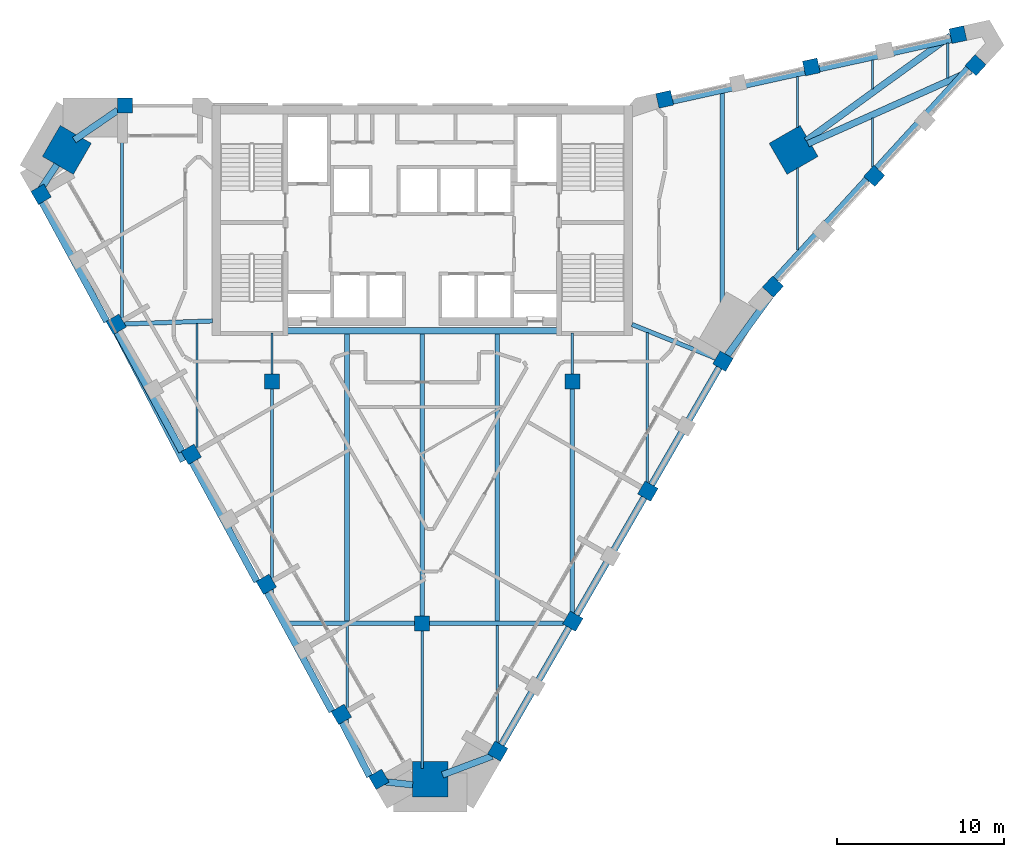
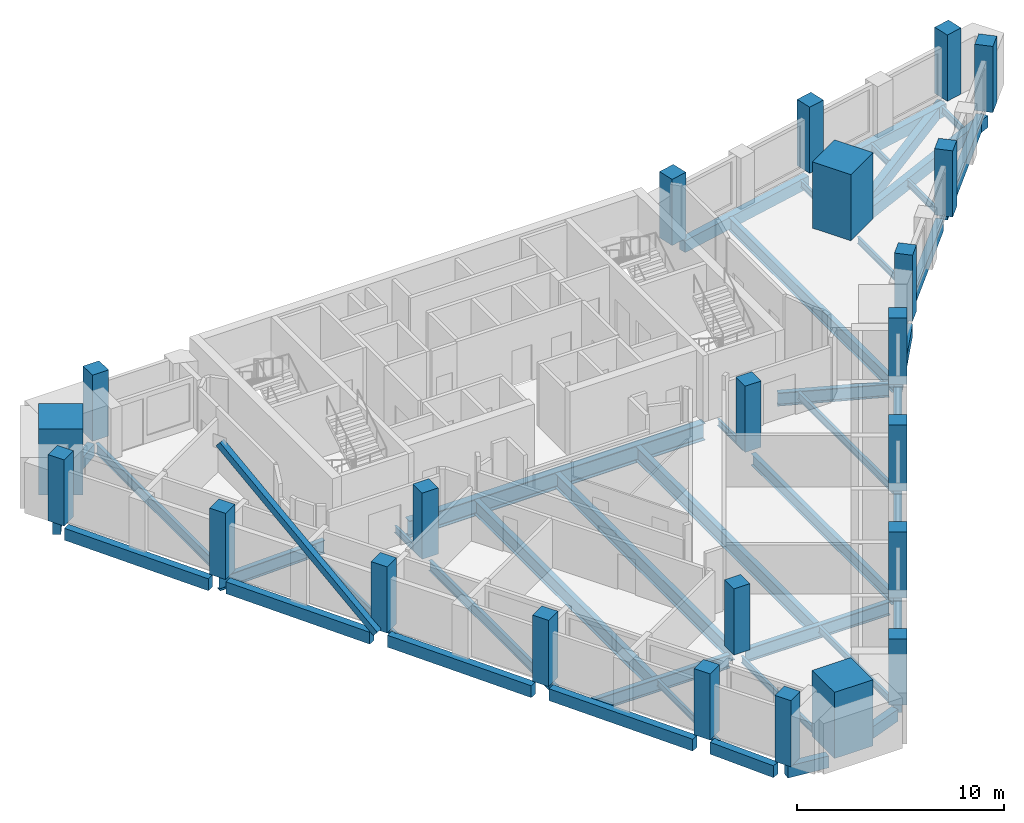
# One storey, part 1 of 8: 43 beams, 23 columns, 1 member.
"""IFC4 building model written with IfcOpenShell, lengths in metres."""

from ifc_helpers import new_model, si_unit, direction, frame, origin, origin_2d, place, context, subcontext, project, spatial, rectangle, hollow_rectangle, i_section, extrude, material, material_profile, profile_set, type_object, element, save


model = new_model("IFC4")

# Units and contexts
model_context = context("Model", 3, precision=1e-05, world=origin(), true_north=direction((0.0, 1.0)))
body_context = subcontext(model_context, "Body", "Model", "MODEL_VIEW")
ifc_project = project(units=[si_unit("LENGTHUNIT", "METRE"), si_unit("AREAUNIT", "SQUARE_METRE"), si_unit("VOLUMEUNIT", "CUBIC_METRE"), si_unit("PLANEANGLEUNIT", "RADIAN"), si_unit("MASSUNIT", "GRAM", prefix="KILO")], contexts=[model_context])

# Site, building, storey
site_placement = place(None, origin())
site = spatial("IfcSite", under=ifc_project, at=site_placement, CompositionType="ELEMENT")
building_placement = place(site_placement, origin())
building = spatial("IfcBuilding", under=site, at=building_placement, Name="Calabash Gate Tower", CompositionType="ELEMENT")
storey_placement = place(building_placement, frame((0.0, 0.0, 271.60009765625)))
storey = spatial("IfcBuildingStorey", under=building, at=storey_placement, Name="L65", CompositionType="ELEMENT", Elevation=271.60009765625)

# Columns
ifc_material_1 = material(Name="Concrete C60/75", Category="concrete")
ifc_material_profile_1 = material_profile(ifc_material_1, rectangle(XDim=0.89990234375, YDim=0.89990234375, at=origin_2d()))
ifc_profile_set_1 = profile_set([ifc_material_profile_1], Name="Concrete C60/75")
column_type_1 = type_object("IfcColumnType", Name="Interior column RC 900x900 Concrete C60/75", PredefinedType="COLUMN", material=ifc_profile_set_1)
for number, where, z_axis, x_axis, name in (
    (1, (-9.0, 2.5, 0.0), (0.0, 0.0, 1.0), (1.0, 0.0, 0.0), "Interior column L65 I0"),
    (2, (9.0, 2.5, 0.0), (0.0, 0.0, 1.0), (1.0, 0.0, 0.0), "Interior column L65 I1"),
    (3, (0.0, -12.0, 0.0), (0.0, 0.0, 1.0), (1.0, 0.0, 0.0), "Interior column L65 I2"),
):
    element("IfcColumn", number, at=place(storey_placement, frame(where, z_axis=z_axis, x_axis=x_axis)), inside=storey, type_object=column_type_1, Name=name, PredefinedType="COLUMN", context=body_context, shape_type="SweptSolid", body=[
        extrude(rectangle(XDim=0.89990234375, YDim=0.89990234375, at=origin_2d()), origin(), (0.0, 0.0, 1.0), 3.89990234375),
    ])
ifc_material_2 = material(Name="Concrete C60/75", Category="concrete")
ifc_material_profile_2 = material_profile(ifc_material_2, rectangle(XDim=2.14990234375, YDim=2.14990234375, at=origin_2d()))
ifc_profile_set_2 = profile_set([ifc_material_profile_2], Name="Concrete C60/75")
column_type_2 = type_object("IfcColumnType", Name="Mega column RC 2150x2150 Concrete C60/75", PredefinedType="COLUMN", material=ifc_profile_set_2)
for number, where, z_axis, x_axis, name in (
    (4, (-21.305908203125, 16.386962890625, 0.0), (0.0, 0.0, 1.0), (0.866025412511, -0.499999984885, 0.0), "Mega column L65 NW"),
    (5, (22.26708984375, 16.386962890625, 0.0), (0.0, 0.0, 1.0), (-0.866025412511, -0.499999984885, 0.0), "Mega column L65 NE"),
    (6, (0.47998046875, -21.345947265625, 0.0), (0.0, 0.0, 1.0), (0.0, 1.0, 0.0), "Mega column L65 S"),
):
    element("IfcColumn", number, at=place(storey_placement, frame(where, z_axis=z_axis, x_axis=x_axis)), inside=storey, type_object=column_type_2, Name=name, PredefinedType="COLUMN", context=body_context, shape_type="SweptSolid", body=[
        extrude(rectangle(XDim=2.14990234375, YDim=2.14990234375, at=origin_2d()), origin(), (0.0, 0.0, 1.0), 3.89990234375),
    ])
ifc_material_3 = material(Name="Concrete C50/60", Category="concrete")
ifc_material_profile_3 = material_profile(ifc_material_3, rectangle(XDim=0.89990234375, YDim=0.89990234375, at=origin_2d()))
ifc_profile_set_3 = profile_set([ifc_material_profile_3], Name="Concrete C50/60")
column_type_3 = type_object("IfcColumnType", Name="Perimeter column RC 900x900 Concrete C50/60", PredefinedType="COLUMN", material=ifc_profile_set_3)
for number, where, z_axis, x_axis, name in (
    (7, (-22.845947265625, 13.72705078125, 0.0), (0.0, 0.0, 1.0), (0.500000015115, -0.866025395058, 0.0), "Perimeter column L65 P20"),
    (8, (-18.345947265625, 5.930908203125, 0.0), (0.0, 0.0, 1.0), (0.500000015115, -0.866025395058, 0.0), "Perimeter column L65 P00"),
    (9, (-13.845947265625, -1.864013671875, 0.0), (0.0, 0.0, 1.0), (0.500000015115, -0.866025395058, 0.0), "Perimeter column L65 P01"),
    (10, (-9.345947265625, -9.657958984375, 0.0), (0.0, 0.0, 1.0), (0.500000015115, -0.866025395058, 0.0), "Perimeter column L65 P02"),
    (11, (-4.845947265625, -17.451904296875, 0.0), (0.0, 0.0, 1.0), (0.500000015115, -0.866025395058, 0.0), "Perimeter column L65 P03"),
    (12, (-2.595947265625, -21.34912109375, 0.0), (0.0, 0.0, 1.0), (0.500000015115, -0.866025395058, 0.0), "Perimeter column L65 P25"),
    (13, (4.530029296875, -19.660888671875, 0.0), (0.0, 0.0, 1.0), (0.499999984885, 0.866025412511, 0.0), "Perimeter column L65 P08"),
    (14, (9.030029296875, -11.866943359375, 0.0), (0.0, 0.0, 1.0), (0.499999984885, 0.866025412511, 0.0), "Perimeter column L65 P09"),
    (15, (13.530029296875, -4.072998046875, 0.0), (0.0, 0.0, 1.0), (0.499999984885, 0.866025412511, 0.0), "Perimeter column L65 P10"),
    (16, (18.030029296875, 3.720947265625, 0.0), (0.0, 0.0, 1.0), (0.499999984885, 0.866025412511, 0.0), "Perimeter column L65 P11"),
    (17, (21.031005859375, 8.18701171875, 0.0), (0.0, 0.0, 1.0), (0.67485604152, 0.737949404244, 0.0), "Perimeter column L65 P12"),
    (18, (27.10400390625, 14.825927734375, 0.0), (0.0, 0.0, 1.0), (0.67485604152, 0.737949404244, 0.0), "Perimeter column L65 P36"),
    (19, (33.177978515625, 21.468017578125, 0.0), (0.0, 0.0, 1.0), (0.67485604152, 0.737949404244, 0.0), "Perimeter column L65 P37"),
    (20, (32.12109375, 23.298095703125, 0.0), (0.0, 0.0, 1.0), (-0.976510951543, -0.215467773731, 0.0), "Perimeter column L65 P38"),
    (21, (23.3330078125, 21.35888671875, 0.0), (0.0, 0.0, 1.0), (-0.976510951543, -0.215467773731, 0.0), "Perimeter column L65 P39"),
    (22, (14.5439453125, 19.4189453125, 0.0), (0.0, 0.0, 1.0), (-0.976510951543, -0.215467773731, 0.0), "Perimeter column L65 P40"),
    (23, (-17.822021484375, 19.052978515625, 0.0), (0.0, 0.0, 1.0), (-1.0, 0.0, 0.0), "Perimeter column L65 P31"),
):
    element("IfcColumn", number, at=place(storey_placement, frame(where, z_axis=z_axis, x_axis=x_axis)), inside=storey, type_object=column_type_3, Name=name, PredefinedType="COLUMN", context=body_context, shape_type="SweptSolid", body=[
        extrude(rectangle(XDim=0.89990234375, YDim=0.89990234375, at=origin_2d()), origin(), (0.0, 0.0, 1.0), 3.89990234375),
    ])

# Beams
ifc_material_4 = material(Name="Concrete C50/60", Category="concrete")
ifc_material_profile_4 = material_profile(ifc_material_4, rectangle(XDim=0.39990234375, YDim=0.699951171875, at=origin_2d()))
ifc_profile_set_4 = profile_set([ifc_material_profile_4], Name="Concrete C50/60")
beam_type_1 = type_object("IfcBeamType", Name="Edge beam RC 400x700 Concrete C50/60", PredefinedType="BEAM", material=ifc_profile_set_4)
for number, where, z_axis, x_axis, name in (
    (24, (-13.7958984375, -2.3291015625, -0.52001953125), (0.477013821139, -0.878895792709, 0.0), (0.878895792709, 0.477013821139, 0.0), "Edge beam L65 1"),
    (25, (-9.2958984375, -10.123046875, -0.52001953125), (0.477013821139, -0.878895792709, 0.0), (0.878895792709, 0.477013821139, 0.0), "Edge beam L65 2"),
):
    element("IfcBeam", number, at=place(storey_placement, frame(where, z_axis=z_axis, x_axis=x_axis)), inside=storey, type_object=beam_type_1, Name=name, PredefinedType="BEAM", context=body_context, shape_type="SweptSolid", body=[
        extrude(rectangle(XDim=0.39990234375, YDim=0.699951171875, at=origin_2d()), origin(), (0.0, 0.0, 1.0), 8.146484375),
    ])
beam_1_placement = place(storey_placement, frame((-4.805908203125, -17.923095703125, -0.52001953125), z_axis=(0.454000979185, -0.891001184566, 0.0), x_axis=(0.891001184566, 0.454000979185, 0.0)))
element("IfcBeam", 26, at=beam_1_placement, inside=storey, type_object=beam_type_1, Name="Edge beam L65 3", PredefinedType="BEAM", context=body_context, shape_type="SweptSolid", body=[
    extrude(rectangle(XDim=0.39990234375, YDim=0.699951171875, at=origin_2d()), origin(), (0.0, 0.0, 1.0), 3.6474609375),
])
beam_2_placement = place(storey_placement, frame((-2.721923828125, -21.44091796875, -0.52001953125), z_axis=(0.99392085928, -0.110096891365, 0.0), x_axis=(0.110096891365, 0.99392085928, 0.0)))
element("IfcBeam", 27, at=beam_2_placement, inside=storey, type_object=beam_type_1, Name="Edge beam L65 4", PredefinedType="BEAM", context=body_context, shape_type="SweptSolid", body=[
    extrude(rectangle(XDim=0.39990234375, YDim=0.699951171875, at=origin_2d()), origin(), (0.0, 0.0, 1.0), 2.162109375),
])
beam_3_placement = place(storey_placement, frame((1.216064453125, -21.083984375, -0.52001953125), z_axis=(0.935553857978, 0.353184057997, 0.0), x_axis=(-0.353184057997, 0.935553857978, 0.0)))
element("IfcBeam", 28, at=beam_3_placement, inside=storey, type_object=beam_type_1, Name="Edge beam L65 5", PredefinedType="BEAM", context=body_context, shape_type="SweptSolid", body=[
    extrude(rectangle(XDim=0.39990234375, YDim=0.699951171875, at=origin_2d()), origin(), (0.0, 0.0, 1.0), 3.1796875),
])
beam_4_placement = place(storey_placement, frame((4.60888671875, -19.52294921875, -0.52001953125), z_axis=(0.499919966627, 0.866071606143, 0.0), x_axis=(-0.866071606143, 0.499919966627, 0.0)))
element("IfcBeam", 29, at=beam_4_placement, inside=storey, type_object=beam_type_1, Name="Edge beam L65 6", PredefinedType="BEAM", context=body_context, shape_type="SweptSolid", body=[
    extrude(rectangle(XDim=0.39990234375, YDim=0.699951171875, at=origin_2d()), origin(), (0.0, 0.0, 1.0), 8.41748046875),
])
for number, where, z_axis, x_axis, name in (
    (30, (9.10888671875, -11.72998046875, -0.52001953125), (0.49997020258, 0.86604260665, 0.0), (-0.86604260665, 0.49997020258, 0.0), "Edge beam L65 7"),
    (31, (13.60888671875, -3.93603515625, -0.52001953125), (0.49997020258, 0.86604260665, 0.0), (-0.86604260665, 0.49997020258, 0.0), "Edge beam L65 8"),
):
    element("IfcBeam", number, at=place(storey_placement, frame(where, z_axis=z_axis, x_axis=x_axis)), inside=storey, type_object=beam_type_1, Name=name, PredefinedType="BEAM", context=body_context, shape_type="SweptSolid", body=[
        extrude(rectangle(XDim=0.39990234375, YDim=0.699951171875, at=origin_2d()), origin(), (0.0, 0.0, 1.0), 8.41650390625),
    ])
beam_5_placement = place(storey_placement, frame((18.1259765625, 3.85009765625, -0.52001953125), z_axis=(0.587961717707, 0.808888755337, 0.0), x_axis=(-0.808888755337, 0.587961717707, 0.0)))
element("IfcBeam", 32, at=beam_5_placement, inside=storey, type_object=beam_type_1, Name="Edge beam L65 9", PredefinedType="BEAM", context=body_context, shape_type="SweptSolid", body=[
    extrude(rectangle(XDim=0.39990234375, YDim=0.699951171875, at=origin_2d()), origin(), (0.0, 0.0, 1.0), 4.7705078125),
])
beam_6_placement = place(storey_placement, frame((21.18701171875, 8.652099609375, -0.52001953125), z_axis=(0.674873802315, 0.737933161573, 0.0), x_axis=(-0.737933161573, 0.674873802315, 0.0)))
element("IfcBeam", 33, at=beam_6_placement, inside=storey, type_object=beam_type_1, Name="Edge beam L65 10", PredefinedType="BEAM", context=body_context, shape_type="SweptSolid", body=[
    extrude(rectangle(XDim=0.39990234375, YDim=0.699951171875, at=origin_2d()), origin(), (0.0, 0.0, 1.0), 8.099365234375),
])
beam_7_placement = place(storey_placement, frame((27.260009765625, 15.29296875, -0.52001953125), z_axis=(0.67486440312, 0.737941757459, 0.0), x_axis=(-0.737941757459, 0.67486440312, 0.0)))
element("IfcBeam", 34, at=beam_7_placement, inside=storey, type_object=beam_type_1, Name="Edge beam L65 11", PredefinedType="BEAM", context=body_context, shape_type="SweptSolid", body=[
    extrude(rectangle(XDim=0.39990234375, YDim=0.699951171875, at=origin_2d()), origin(), (0.0, 0.0, 1.0), 8.100830078125),
])
beam_8_placement = place(storey_placement, frame((32.902099609375, 21.126953125, -0.52001953125), z_axis=(-0.912877028573, -0.408234651522, 0.0), x_axis=(0.408234651522, -0.912877028573, 0.0)))
element("IfcBeam", 35, at=beam_8_placement, inside=storey, type_object=beam_type_1, Name="Edge beam L65 12", PredefinedType="BEAM", context=body_context, shape_type="SweptSolid", body=[
    extrude(rectangle(XDim=0.39990234375, YDim=0.699951171875, at=origin_2d()), origin(), (0.0, 0.0, 1.0), 10.714599609375),
])
beam_9_placement = place(storey_placement, frame((23.01611328125, 16.93408203125, -0.52001953125), z_axis=(0.809189056885, 0.587548355641, 0.0), x_axis=(-0.587548355641, 0.809189056885, 0.0)))
element("IfcBeam", 36, at=beam_9_placement, inside=storey, type_object=beam_type_1, Name="Edge beam L65 13", PredefinedType="BEAM", context=body_context, shape_type="SweptSolid", body=[
    extrude(rectangle(XDim=0.39990234375, YDim=0.699951171875, at=origin_2d()), origin(), (0.0, 0.0, 1.0), 10.715576171875),
])
beam_10_placement = place(storey_placement, frame((31.72705078125, 23.006103515625, -0.52001953125), z_axis=(-0.976492437334, -0.215551663945, 0.0), x_axis=(0.215551663945, -0.976492437334, 0.0)))
element("IfcBeam", 37, at=beam_10_placement, inside=storey, type_object=beam_type_1, Name="Edge beam L65 14", PredefinedType="BEAM", context=body_context, shape_type="SweptSolid", body=[
    extrude(rectangle(XDim=0.39990234375, YDim=0.699951171875, at=origin_2d()), origin(), (0.0, 0.0, 1.0), 8.1005859375),
])
beam_11_placement = place(storey_placement, frame((22.93603515625, 21.06591796875, -0.52001953125), z_axis=(-0.976517152373, -0.215439669332, 0.0), x_axis=(0.215439669332, -0.976517152373, 0.0)))
element("IfcBeam", 38, at=beam_11_placement, inside=storey, type_object=beam_type_1, Name="Edge beam L65 15", PredefinedType="BEAM", context=body_context, shape_type="SweptSolid", body=[
    extrude(rectangle(XDim=0.39990234375, YDim=0.699951171875, at=origin_2d()), origin(), (0.0, 0.0, 1.0), 8.09912109375),
])
beam_12_placement = place(storey_placement, frame((-18.258056640625, 18.761962890625, -0.52001953125), z_axis=(-0.824398084176, -0.566010422878, 0.0), x_axis=(0.566010422878, -0.824398084176, 0.0)))
element("IfcBeam", 39, at=beam_12_placement, inside=storey, type_object=beam_type_1, Name="Edge beam L65 16", PredefinedType="BEAM", context=body_context, shape_type="SweptSolid", body=[
    extrude(rectangle(XDim=0.39990234375, YDim=0.699951171875, at=origin_2d()), origin(), (0.0, 0.0, 1.0), 3.15869140625),
])
beam_13_placement = place(storey_placement, frame((-21.903076171875, 15.508056640625, -0.52001953125), z_axis=(-0.547709456337, -0.836668603115, 0.0), x_axis=(0.836668603115, -0.547709456337, 0.0)))
element("IfcBeam", 40, at=beam_13_placement, inside=storey, type_object=beam_type_1, Name="Edge beam L65 17", PredefinedType="BEAM", context=body_context, shape_type="SweptSolid", body=[
    extrude(rectangle(XDim=0.39990234375, YDim=0.699951171875, at=origin_2d()), origin(), (0.0, 0.0, 1.0), 2.101318359375),
])
beam_14_placement = place(storey_placement, frame((-22.7958984375, 13.260009765625, -0.52001953125), z_axis=(0.477013821139, -0.878895792709, 0.0), x_axis=(0.878895792709, 0.477013821139, 0.0)))
element("IfcBeam", 41, at=beam_14_placement, inside=storey, type_object=beam_type_1, Name="Edge beam L65 18", PredefinedType="BEAM", context=body_context, shape_type="SweptSolid", body=[
    extrude(rectangle(XDim=0.39990234375, YDim=0.699951171875, at=origin_2d()), origin(), (0.0, 0.0, 1.0), 8.146484375),
])
beam_15_placement = place(storey_placement, frame((-18.2958984375, 5.467041015625, -0.52001953125), z_axis=(0.477001257127, -0.878902611612, 0.0), x_axis=(0.878902611612, 0.477001257127, 0.0)))
element("IfcBeam", 42, at=beam_15_placement, inside=storey, type_object=beam_type_1, Name="Edge beam L65 19", PredefinedType="BEAM", context=body_context, shape_type="SweptSolid", body=[
    extrude(rectangle(XDim=0.39990234375, YDim=0.699951171875, at=origin_2d()), origin(), (0.0, 0.0, 1.0), 8.146728515625),
])
ifc_material_5 = material(Name="Steel ASTM A992 Gr50", Category="steel")
ifc_material_profile_5 = material_profile(ifc_material_5, i_section(OverallWidth=0.1396484375, OverallDepth=0.398681640625, WebThickness=0.00634765625, FlangeThickness=0.0087890625, FilletRadius=0.01025390625, at=origin_2d()))
ifc_profile_set_5 = profile_set([ifc_material_profile_5], Name="Steel ASTM A992 Gr50")
beam_type_2 = type_object("IfcBeamType", Name="Floor beam W16x26 ASTM A992 Gr50", PredefinedType="BEAM", material=ifc_profile_set_5)
beam_16_placement = place(storey_placement, frame((-13.5, -2.472900390625, -0.369140625), z_axis=(0.0, 1.0, 0.0), x_axis=(-1.0, 0.0, 0.0)))
element("IfcBeam", 43, at=beam_16_placement, inside=storey, type_object=beam_type_2, Name="Floor beam L65 2", PredefinedType="BEAM", context=body_context, shape_type="SweptSolid", body=[
    extrude(i_section(OverallWidth=0.1396484375, OverallDepth=0.398681640625, WebThickness=0.00634765625, FlangeThickness=0.0087890625, FilletRadius=0.01025390625, at=origin_2d()), origin(), (0.0, 0.0, 1.0), 8.4619140625),
])
beam_17_placement = place(storey_placement, frame((-9.0, 2.949951171875, -0.369140625), z_axis=(0.0, 1.0, 0.0), x_axis=(-1.0, 0.0, 0.0)))
element("IfcBeam", 44, at=beam_17_placement, inside=storey, type_object=beam_type_2, Name="Floor beam L65 4", PredefinedType="BEAM", context=body_context, shape_type="SweptSolid", body=[
    extrude(i_section(OverallWidth=0.1396484375, OverallDepth=0.398681640625, WebThickness=0.00634765625, FlangeThickness=0.0087890625, FilletRadius=0.01025390625, at=origin_2d()), origin(), (0.0, 0.0, 1.0), 2.453125),
])
beam_18_placement = place(storey_placement, frame((-4.5, -18.10400390625, -0.369140625), z_axis=(0.0, 1.0, 0.0), x_axis=(-1.0, 0.0, 0.0)))
element("IfcBeam", 45, at=beam_18_placement, inside=storey, type_object=beam_type_2, Name="Floor beam L65 5", PredefinedType="BEAM", context=body_context, shape_type="SweptSolid", body=[
    extrude(i_section(OverallWidth=0.1396484375, OverallDepth=0.398681640625, WebThickness=0.00634765625, FlangeThickness=0.0087890625, FilletRadius=0.01025390625, at=origin_2d()), origin(), (0.0, 0.0, 1.0), 5.970947265625),
])
beam_19_placement = place(storey_placement, frame((0.0, -20.702880859375, -0.369140625), z_axis=(0.0, 1.0, 0.0), x_axis=(-1.0, 0.0, 0.0)))
element("IfcBeam", 46, at=beam_19_placement, inside=storey, type_object=beam_type_2, Name="Floor beam L65 7", PredefinedType="BEAM", context=body_context, shape_type="SweptSolid", body=[
    extrude(i_section(OverallWidth=0.1396484375, OverallDepth=0.398681640625, WebThickness=0.00634765625, FlangeThickness=0.0087890625, FilletRadius=0.01025390625, at=origin_2d()), origin(), (0.0, 0.0, 1.0), 8.2529296875),
])
beam_20_placement = place(storey_placement, frame((4.5, -19.343017578125, -0.369140625), z_axis=(0.0, 1.0, 0.0), x_axis=(-1.0, 0.0, 0.0)))
element("IfcBeam", 47, at=beam_20_placement, inside=storey, type_object=beam_type_2, Name="Floor beam L65 9", PredefinedType="BEAM", context=body_context, shape_type="SweptSolid", body=[
    extrude(i_section(OverallWidth=0.1396484375, OverallDepth=0.398681640625, WebThickness=0.00634765625, FlangeThickness=0.0087890625, FilletRadius=0.01025390625, at=origin_2d()), origin(), (0.0, 0.0, 1.0), 7.2099609375),
])
beam_21_placement = place(storey_placement, frame((9.0, 2.949951171875, -0.369140625), z_axis=(0.0, 1.0, 0.0), x_axis=(-1.0, 0.0, 0.0)))
element("IfcBeam", 48, at=beam_21_placement, inside=storey, type_object=beam_type_2, Name="Floor beam L65 12", PredefinedType="BEAM", context=body_context, shape_type="SweptSolid", body=[
    extrude(i_section(OverallWidth=0.1396484375, OverallDepth=0.398681640625, WebThickness=0.00634765625, FlangeThickness=0.0087890625, FilletRadius=0.01025390625, at=origin_2d()), origin(), (0.0, 0.0, 1.0), 2.453125),
])
beam_22_placement = place(storey_placement, frame((22.5, 10.3720703125, -0.369140625), z_axis=(0.0, 1.0, 0.0), x_axis=(-1.0, 0.0, 0.0)))
element("IfcBeam", 49, at=beam_22_placement, inside=storey, type_object=beam_type_2, Name="Floor beam L65 15", PredefinedType="BEAM", context=body_context, shape_type="SweptSolid", body=[
    extrude(i_section(OverallWidth=0.1396484375, OverallDepth=0.398681640625, WebThickness=0.00634765625, FlangeThickness=0.0087890625, FilletRadius=0.01025390625, at=origin_2d()), origin(), (0.0, 0.0, 1.0), 4.934814453125),
])
beam_23_placement = place(storey_placement, frame((22.5, 17.740966796875, -0.369140625), z_axis=(0.0, 1.0, 0.0), x_axis=(-1.0, 0.0, 0.0)))
element("IfcBeam", 50, at=beam_23_placement, inside=storey, type_object=beam_type_2, Name="Floor beam L65 16", PredefinedType="BEAM", context=body_context, shape_type="SweptSolid", body=[
    extrude(i_section(OverallWidth=0.1396484375, OverallDepth=0.398681640625, WebThickness=0.00634765625, FlangeThickness=0.0087890625, FilletRadius=0.01025390625, at=origin_2d()), origin(), (0.0, 0.0, 1.0), 3.05615234375),
])
beam_24_placement = place(storey_placement, frame((27.0, 15.35693359375, -0.369140625), z_axis=(0.0, 1.0, 0.0), x_axis=(-1.0, 0.0, 0.0)))
element("IfcBeam", 51, at=beam_24_placement, inside=storey, type_object=beam_type_2, Name="Floor beam L65 17", PredefinedType="BEAM", context=body_context, shape_type="SweptSolid", body=[
    extrude(i_section(OverallWidth=0.1396484375, OverallDepth=0.398681640625, WebThickness=0.00634765625, FlangeThickness=0.0087890625, FilletRadius=0.01025390625, at=origin_2d()), origin(), (0.0, 0.0, 1.0), 2.93310546875),
])
beam_25_placement = place(storey_placement, frame((27.0, 20.0419921875, -0.369140625), z_axis=(0.0, 1.0, 0.0), x_axis=(-1.0, 0.0, 0.0)))
element("IfcBeam", 52, at=beam_25_placement, inside=storey, type_object=beam_type_2, Name="Floor beam L65 18", PredefinedType="BEAM", context=body_context, shape_type="SweptSolid", body=[
    extrude(i_section(OverallWidth=0.1396484375, OverallDepth=0.398681640625, WebThickness=0.00634765625, FlangeThickness=0.0087890625, FilletRadius=0.01025390625, at=origin_2d()), origin(), (0.0, 0.0, 1.0), 1.748046875),
])
beam_26_placement = place(storey_placement, frame((31.5, 20.696044921875, -0.369140625), z_axis=(0.0, 1.0, 0.0), x_axis=(-1.0, 0.0, 0.0)))
element("IfcBeam", 53, at=beam_26_placement, inside=storey, type_object=beam_type_2, Name="Floor beam L65 19", PredefinedType="BEAM", context=body_context, shape_type="SweptSolid", body=[
    extrude(i_section(OverallWidth=0.1396484375, OverallDepth=0.398681640625, WebThickness=0.00634765625, FlangeThickness=0.0087890625, FilletRadius=0.01025390625, at=origin_2d()), origin(), (0.0, 0.0, 1.0), 2.0869140625),
])
ifc_material_6 = material(Name="Steel ASTM A992 Gr50", Category="steel")
ifc_material_profile_6 = material_profile(ifc_material_6, i_section(OverallWidth=0.15234375, OverallDepth=0.44970703125, WebThickness=0.007568359375, FlangeThickness=0.0107421875, FilletRadius=0.01025390625, at=origin_2d()))
ifc_profile_set_6 = profile_set([ifc_material_profile_6], Name="Steel ASTM A992 Gr50")
beam_type_3 = type_object("IfcBeamType", Name="Floor beam W18x35 ASTM A992 Gr50", PredefinedType="BEAM", material=ifc_profile_set_6)
beam_27_placement = place(storey_placement, frame((13.5, -3.737060546875, -0.39306640625), z_axis=(0.0, 1.0, 0.0), x_axis=(-1.0, 0.0, 0.0)))
element("IfcBeam", 54, at=beam_27_placement, inside=storey, type_object=beam_type_3, Name="Floor beam L65 13", PredefinedType="BEAM", context=body_context, shape_type="SweptSolid", body=[
    extrude(i_section(OverallWidth=0.15234375, OverallDepth=0.44970703125, WebThickness=0.007568359375, FlangeThickness=0.0107421875, FilletRadius=0.01025390625, at=origin_2d()), origin(), (0.0, 0.0, 1.0), 9.173095703125),
])
ifc_material_7 = material(Name="Steel ASTM A992 Gr50", Category="steel")
ifc_material_profile_7 = material_profile(ifc_material_7, i_section(OverallWidth=0.1787109375, OverallDepth=0.60205078125, WebThickness=0.010986328125, FlangeThickness=0.014892578125, FilletRadius=0.0126953125, at=origin_2d()))
ifc_profile_set_7 = profile_set([ifc_material_profile_7], Name="Steel ASTM A992 Gr50")
beam_type_4 = type_object("IfcBeamType", Name="Floor beam W24x62 ASTM A992 Gr50", PredefinedType="BEAM", material=ifc_profile_set_7)
beam_28_placement = place(storey_placement, frame((-18.0, 6.05908203125, -0.47119140625), z_axis=(0.0, 1.0, 0.0), x_axis=(-1.0, 0.0, 0.0)))
element("IfcBeam", 55, at=beam_28_placement, inside=storey, type_object=beam_type_4, Name="Floor beam L65 1", PredefinedType="BEAM", context=body_context, shape_type="SweptSolid", body=[
    extrude(i_section(OverallWidth=0.1787109375, OverallDepth=0.60205078125, WebThickness=0.010986328125, FlangeThickness=0.014892578125, FilletRadius=0.0126953125, at=origin_2d()), origin(), (0.0, 0.0, 1.0), 12.577880859375),
])
beam_29_placement = place(storey_placement, frame((-9.0, -10.26904296875, -0.47119140625), z_axis=(0.0, 1.0, 0.0), x_axis=(-1.0, 0.0, 0.0)))
element("IfcBeam", 56, at=beam_29_placement, inside=storey, type_object=beam_type_4, Name="Floor beam L65 3", PredefinedType="BEAM", context=body_context, shape_type="SweptSolid", body=[
    extrude(i_section(OverallWidth=0.1787109375, OverallDepth=0.60205078125, WebThickness=0.010986328125, FlangeThickness=0.014892578125, FilletRadius=0.0126953125, at=origin_2d()), origin(), (0.0, 0.0, 1.0), 12.319091796875),
])
ifc_material_8 = material(Name="Steel ASTM A992 Gr50", Category="steel")
ifc_material_profile_8 = material_profile(ifc_material_8, i_section(OverallWidth=0.25390625, OverallDepth=0.67822265625, WebThickness=0.01171875, FlangeThickness=0.016357421875, FilletRadius=0.01513671875, at=origin_2d()))
ifc_profile_set_8 = profile_set([ifc_material_profile_8], Name="Steel ASTM A992 Gr50")
beam_type_5 = type_object("IfcBeamType", Name="Floor beam W27x84 ASTM A992 Gr50", PredefinedType="BEAM", material=ifc_profile_set_8)
beam_30_placement = place(storey_placement, frame((9.0, -11.551025390625, -0.509033203125), z_axis=(0.0, 1.0, 0.0), x_axis=(-1.0, 0.0, 0.0)))
element("IfcBeam", 57, at=beam_30_placement, inside=storey, type_object=beam_type_5, Name="Floor beam L65 11", PredefinedType="BEAM", context=body_context, shape_type="SweptSolid", body=[
    extrude(i_section(OverallWidth=0.25390625, OverallDepth=0.67822265625, WebThickness=0.01171875, FlangeThickness=0.016357421875, FilletRadius=0.01513671875, at=origin_2d()), origin(), (0.0, 0.0, 1.0), 13.60107421875),
])
ifc_material_9 = material(Name="Steel ASTM A992 Gr50", Category="steel")
ifc_material_profile_9 = material_profile(ifc_material_9, i_section(OverallWidth=0.2666015625, OverallDepth=0.7568359375, WebThickness=0.013916015625, FlangeThickness=0.019287109375, FilletRadius=0.0166015625, at=origin_2d()))
ifc_profile_set_9 = profile_set([ifc_material_profile_9], Name="Steel ASTM A992 Gr50")
beam_type_6 = type_object("IfcBeamType", Name="Floor beam W30x108 ASTM A992 Gr50", PredefinedType="BEAM", material=ifc_profile_set_9)
beam_31_placement = place(storey_placement, frame((18.0, 3.9970703125, -0.548095703125), z_axis=(0.0, 1.0, 0.0), x_axis=(-1.0, 0.0, 0.0)))
element("IfcBeam", 58, at=beam_31_placement, inside=storey, type_object=beam_type_6, Name="Floor beam L65 14", PredefinedType="BEAM", context=body_context, shape_type="SweptSolid", body=[
    extrude(i_section(OverallWidth=0.2666015625, OverallDepth=0.7568359375, WebThickness=0.013916015625, FlangeThickness=0.019287109375, FilletRadius=0.0166015625, at=origin_2d()), origin(), (0.0, 0.0, 1.0), 15.806884765625),
])
ifc_material_10 = material(Name="Steel ASTM A992 Gr50", Category="steel")
ifc_material_profile_10 = material_profile(ifc_material_10, i_section(OverallWidth=0.2919921875, OverallDepth=0.845703125, WebThickness=0.015380859375, FlangeThickness=0.0244140625, FilletRadius=0.017822265625, at=origin_2d()))
ifc_profile_set_10 = profile_set([ifc_material_profile_10], Name="Steel ASTM A992 Gr50")
beam_type_7 = type_object("IfcBeamType", Name="Floor beam W33x141 ASTM A992 Gr50", PredefinedType="BEAM", material=ifc_profile_set_10)
beam_32_placement = place(storey_placement, frame((-4.5, -11.866943359375, -0.593017578125), z_axis=(0.0, 1.0, 0.0), x_axis=(-1.0, 0.0, 0.0)))
element("IfcBeam", 59, at=beam_32_placement, inside=storey, type_object=beam_type_7, Name="Floor beam L65 6", PredefinedType="BEAM", context=body_context, shape_type="SweptSolid", body=[
    extrude(i_section(OverallWidth=0.2919921875, OverallDepth=0.845703125, WebThickness=0.015380859375, FlangeThickness=0.0244140625, FilletRadius=0.017822265625, at=origin_2d()), origin(), (0.0, 0.0, 1.0), 17.218994140625),
])
beam_33_placement = place(storey_placement, frame((0.0, -11.550048828125, -0.593017578125), z_axis=(0.0, 1.0, 0.0), x_axis=(-1.0, 0.0, 0.0)))
element("IfcBeam", 60, at=beam_33_placement, inside=storey, type_object=beam_type_7, Name="Floor beam L65 8", PredefinedType="BEAM", context=body_context, shape_type="SweptSolid", body=[
    extrude(i_section(OverallWidth=0.2919921875, OverallDepth=0.845703125, WebThickness=0.015380859375, FlangeThickness=0.0244140625, FilletRadius=0.017822265625, at=origin_2d()), origin(), (0.0, 0.0, 1.0), 16.902099609375),
])
beam_34_placement = place(storey_placement, frame((4.5, -11.866943359375, -0.593017578125), z_axis=(0.0, 1.0, 0.0), x_axis=(-1.0, 0.0, 0.0)))
element("IfcBeam", 61, at=beam_34_placement, inside=storey, type_object=beam_type_7, Name="Floor beam L65 10", PredefinedType="BEAM", context=body_context, shape_type="SweptSolid", body=[
    extrude(i_section(OverallWidth=0.2919921875, OverallDepth=0.845703125, WebThickness=0.015380859375, FlangeThickness=0.0244140625, FilletRadius=0.017822265625, at=origin_2d()), origin(), (0.0, 0.0, 1.0), 17.218994140625),
])
ifc_material_11 = material(Name="Steel ASTM A992 Gr50", Category="steel")
ifc_material_profile_11 = material_profile(ifc_material_11, i_section(OverallWidth=0.2666015625, OverallDepth=0.77978515625, WebThickness=0.0166015625, FlangeThickness=0.030029296875, FilletRadius=0.0166015625, at=origin_2d()))
ifc_profile_set_11 = profile_set([ifc_material_profile_11], Name="Steel ASTM A992 Gr50")
beam_type_8 = type_object("IfcBeamType", Name="Girder W30x148 ASTM A992 Gr50", PredefinedType="BEAM", material=ifc_profile_set_11)
beam_35_placement = place(storey_placement, frame((-18.5380859375, 5.924072265625, -0.56005859375), z_axis=(0.999391570316, 0.034878204969, 0.0), x_axis=(-0.034878204969, 0.999391570316, 0.0)))
element("IfcBeam", 62, at=beam_35_placement, inside=storey, type_object=beam_type_8, Name="Girder L65 2", PredefinedType="BEAM", context=body_context, shape_type="SweptSolid", body=[
    extrude(i_section(OverallWidth=0.2666015625, OverallDepth=0.77978515625, WebThickness=0.0166015625, FlangeThickness=0.030029296875, FilletRadius=0.0166015625, at=origin_2d()), origin(), (0.0, 0.0, 1.0), 5.9638671875),
])
beam_36_placement = place(storey_placement, frame((17.62890625, 3.883056640625, -0.56005859375), z_axis=(-0.927436956151, 0.373979534688, 0.0), x_axis=(-0.373979534688, -0.927436956151, 0.0)))
element("IfcBeam", 63, at=beam_36_placement, inside=storey, type_object=beam_type_8, Name="Girder L65 3", PredefinedType="BEAM", context=body_context, shape_type="SweptSolid", body=[
    extrude(i_section(OverallWidth=0.2666015625, OverallDepth=0.77978515625, WebThickness=0.0166015625, FlangeThickness=0.030029296875, FilletRadius=0.0166015625, at=origin_2d()), origin(), (0.0, 0.0, 1.0), 5.44384765625),
])
beam_37_placement = place(storey_placement, frame((-8.06396484375, -12.0, -0.56005859375), z_axis=(1.0, 0.0, 0.0), x_axis=(0.0, 1.0, 0.0)))
element("IfcBeam", 64, at=beam_37_placement, inside=storey, type_object=beam_type_8, Name="Girder L65 4", PredefinedType="BEAM", context=body_context, shape_type="SweptSolid", body=[
    extrude(i_section(OverallWidth=0.2666015625, OverallDepth=0.77978515625, WebThickness=0.0166015625, FlangeThickness=0.030029296875, FilletRadius=0.0166015625, at=origin_2d()), origin(), (0.0, 0.0, 1.0), 7.614013671875),
])
beam_38_placement = place(storey_placement, frame((0.449951171875, -12.0, -0.56005859375), z_axis=(1.0, 0.0, 0.0), x_axis=(0.0, 1.0, 0.0)))
element("IfcBeam", 65, at=beam_38_placement, inside=storey, type_object=beam_type_8, Name="Girder L65 5", PredefinedType="BEAM", context=body_context, shape_type="SweptSolid", body=[
    extrude(i_section(OverallWidth=0.2666015625, OverallDepth=0.77978515625, WebThickness=0.0166015625, FlangeThickness=0.030029296875, FilletRadius=0.0166015625, at=origin_2d()), origin(), (0.0, 0.0, 1.0), 8.01611328125),
])
ifc_material_12 = material(Name="Steel ASTM A992 Gr50", Category="steel")
ifc_material_profile_12 = material_profile(ifc_material_12, i_section(OverallWidth=0.4013671875, OverallDepth=1.000732421875, WebThickness=0.01904296875, FlangeThickness=0.0361328125, FilletRadius=0.030029296875, at=origin_2d()))
ifc_profile_set_12 = profile_set([ifc_material_profile_12], Name="Steel ASTM A992 Gr50")
beam_type_9 = type_object("IfcBeamType", Name="Girder W40x249 ASTM A992 Gr50", PredefinedType="BEAM", material=ifc_profile_set_12)
beam_39_placement = place(storey_placement, frame((-8.25, 5.552978515625, -0.670166015625), z_axis=(1.0, 0.0, 0.0), x_axis=(0.0, 1.0, 0.0)))
element("IfcBeam", 66, at=beam_39_placement, inside=storey, type_object=beam_type_9, Name="Girder L65 1", PredefinedType="BEAM", context=body_context, shape_type="SweptSolid", body=[
    extrude(i_section(OverallWidth=0.4013671875, OverallDepth=1.000732421875, WebThickness=0.01904296875, FlangeThickness=0.0361328125, FilletRadius=0.030029296875, at=origin_2d()), origin(), (0.0, 0.0, 1.0), 16.5),
])

# Member
ifc_material_13 = material(Name="Steel ASTM A500 Gr C", Category="steel")
ifc_material_profile_13 = material_profile(ifc_material_13, hollow_rectangle(XDim=0.355712890625, YDim=0.355712890625, WallThickness=0.015869140625, at=origin_2d()))
ifc_profile_set_13 = profile_set([ifc_material_profile_13], Name="Steel ASTM A500 Gr C")
member_type = type_object("IfcMemberType", Name="Mega-brace HSS14X14X.625 ASTM A500 Gr C", PredefinedType="BRACE", material=ifc_profile_set_13)
member_placement = place(storey_placement, frame((-14.389892578125, -2.177490234375, 0.0), z_axis=(-0.348932178661, 0.670676699458, 0.654552594907), x_axis=(-0.887119166692, -0.461540446859, 0.0)))
element("IfcMember", 67, at=member_placement, inside=storey, type_object=member_type, Name="Mega-brace SW Z5 40", PredefinedType="BRACE", context=body_context, shape_type="SweptSolid", body=[
    extrude(hollow_rectangle(XDim=0.355712890625, YDim=0.355712890625, WallThickness=0.015869140625, at=origin_2d()), origin(), (0.0, 0.0, 1.0), 11.916259765625),
])

save(model, "model.ifc")
